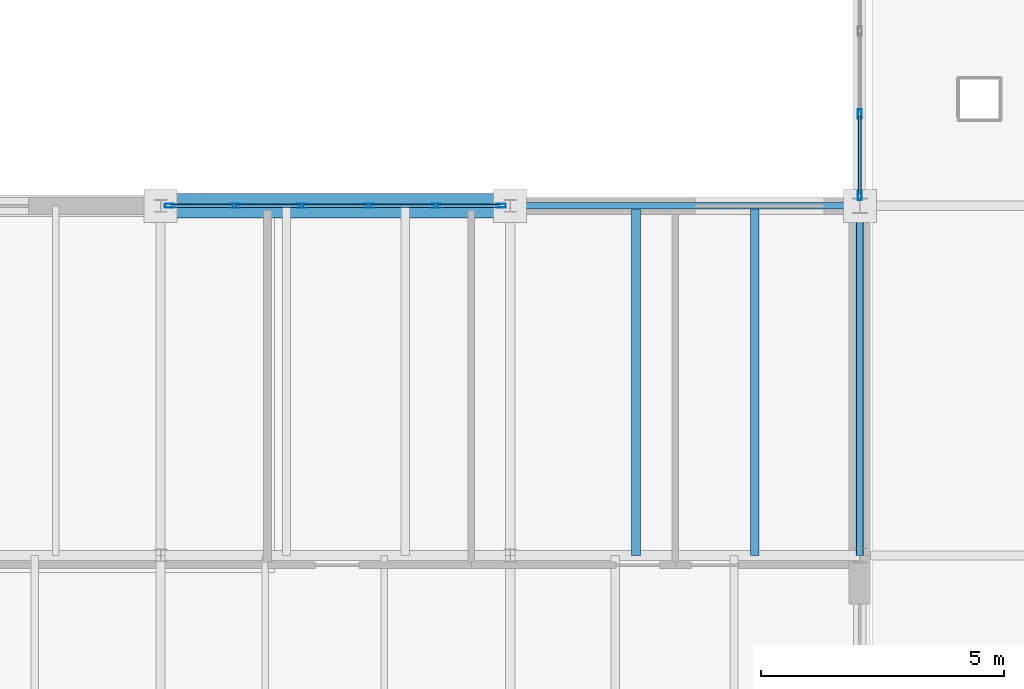
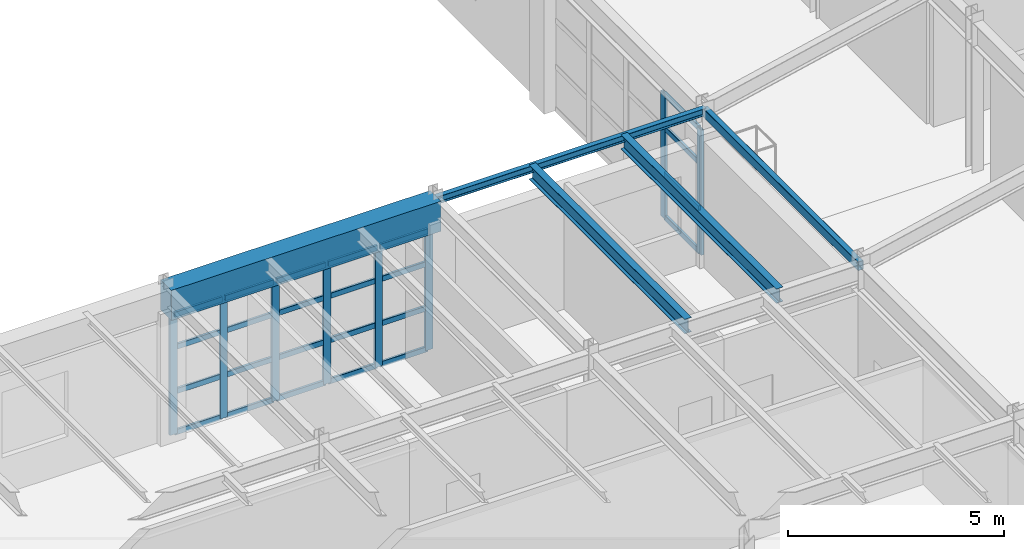
# One storey, part 74 of 137: 32 members, 5 beams, 2 elements without a shape of their own.
"""IFC4 building model written with IfcOpenShell, lengths in metres."""

from ifc_helpers import new_model, si_unit, direction, frame, origin, origin_2d, place, context, subcontext, project, spatial, rectangle, hollow_rectangle, i_section, extrude, material, layer, layer_set, material_profile, profile_set, type_object, element, aggregate, save


model = new_model("IFC4")

# Units and contexts
model_context = context("Model", 3, precision=1e-05, world=origin(), true_north=direction((0.0, 1.0)))
body_context = subcontext(model_context, "Body", "Model", "MODEL_VIEW")
ifc_project = project(units=[si_unit("LENGTHUNIT", "METRE"), si_unit("AREAUNIT", "SQUARE_METRE"), si_unit("VOLUMEUNIT", "CUBIC_METRE"), si_unit("PLANEANGLEUNIT", "RADIAN"), si_unit("MASSUNIT", "GRAM", prefix="KILO")], contexts=[model_context])

# Site, building, storey
site_placement = place(None, origin())
site = spatial("IfcSite", under=ifc_project, at=site_placement, CompositionType="ELEMENT")
building_placement = place(site_placement, origin())
building = spatial("IfcBuilding", under=site, at=building_placement, Name="Kemerveld Promenade Tramway Depot", CompositionType="ELEMENT")
storey_placement = place(building_placement, frame((0.0, 0.0, 5.39990234375)))
storey = spatial("IfcBuildingStorey", under=building, at=storey_placement, Name="L01", CompositionType="ELEMENT", Elevation=5.39990234375)

# Beams
ifc_material_1 = material(Name="Steel S355", Category="steel")
ifc_material_profile_1 = material_profile(ifc_material_1, i_section(OverallWidth=0.13330078125, OverallDepth=0.203125, WebThickness=0.005615234375, FlangeThickness=0.0078125, FilletRadius=0.007568359375, at=origin_2d()), Name="203x133x25 UB")
ifc_profile_set_1 = profile_set([ifc_material_profile_1], Name="Steel S355")
beam_type_1 = type_object("IfcBeamType", Name="BM-G14", PredefinedType="BEAM", material=ifc_profile_set_1)
beam_1_placement = place(storey_placement, frame((151.199951171875, 28.800048828125, 4.158447265625), z_axis=(1.0, 0.0, 0.0), x_axis=(0.0, 1.0, 0.0)))
element("IfcBeam", 1, at=beam_1_placement, inside=storey, type_object=beam_type_1, Name="BMX-L01-22-23-E", PredefinedType="BEAM", context=body_context, shape_type="SweptSolid", body=[
    extrude(i_section(OverallWidth=0.13330078125, OverallDepth=0.203125, WebThickness=0.005615234375, FlangeThickness=0.0078125, FilletRadius=0.007568359375, at=origin_2d()), origin(), (0.0, 0.0, 1.0), 7.199951171875),
])
ifc_material_profile_2 = material_profile(ifc_material_1, i_section(OverallWidth=0.1787109375, OverallDepth=0.409423828125, WebThickness=0.0087890625, FlangeThickness=0.014404296875, FilletRadius=0.01025390625, at=origin_2d()), Name="406x178x67 UB")
ifc_profile_set_2 = profile_set([ifc_material_profile_2], Name="Steel S355")
beam_type_2 = type_object("IfcBeamType", Name="BM-J05", PredefinedType="JOIST", material=ifc_profile_set_2)
for number, where, z_axis, x_axis, name in (
    (2, (153.7919921875, 21.60009765625, 4.055419921875), (0.0, 1.0, 0.0), (-1.0, 0.0, 0.0), "JST-L01-22-D-1"),
    (3, (156.239990234375, 21.60009765625, 4.055419921875), (0.0, 1.0, 0.0), (-1.0, 0.0, 0.0), "JST-L01-22-D-2"),
):
    element("IfcBeam", number, at=place(storey_placement, frame(where, z_axis=z_axis, x_axis=x_axis)), inside=storey, type_object=beam_type_2, Name=name, PredefinedType="JOIST", context=body_context, shape_type="SweptSolid", body=[
        extrude(i_section(OverallWidth=0.1787109375, OverallDepth=0.409423828125, WebThickness=0.0087890625, FlangeThickness=0.014404296875, FilletRadius=0.01025390625, at=origin_2d()), origin(), (0.0, 0.0, 1.0), 7.199951171875),
    ])
ifc_material_2 = material(Name="Concrete C40/50", Category="concrete")
ifc_material_profile_3 = material_profile(ifc_material_2, rectangle(XDim=0.5, YDim=0.85009765625, at=origin_2d()), Name="RC-BM-500x850")
ifc_profile_set_3 = profile_set([ifc_material_profile_3], Name="Concrete C40/50")
beam_type_3 = type_object("IfcBeamType", Name="BM-RC7", PredefinedType="BEAM", material=ifc_profile_set_3)
beam_2_placement = place(storey_placement, frame((144.0, 28.800048828125, 3.835205078125), z_axis=(1.0, 0.0, 0.0), x_axis=(0.0, 1.0, 0.0)))
element("IfcBeam", 4, at=beam_2_placement, inside=storey, type_object=beam_type_3, Name="BMX-L01-21-22-E", PredefinedType="BEAM", context=body_context, shape_type="SweptSolid", body=[
    extrude(rectangle(XDim=0.5, YDim=0.85009765625, at=origin_2d()), origin(), (0.0, 0.0, 1.0), 7.199951171875),
])
ifc_material_profile_4 = material_profile(ifc_material_1, hollow_rectangle(XDim=0.14990234375, YDim=0.25, WallThickness=0.010009765625, InnerFilletRadius=0.0048828125, OuterFilletRadius=0.014892578125, at=origin_2d()), Name="250x150x10.0 RHS")
ifc_profile_set_4 = profile_set([ifc_material_profile_4], Name="Steel S355")
beam_type_4 = type_object("IfcBeamType", Name="BM-SP2", PredefinedType="SPANDREL", material=ifc_profile_set_4)
beam_3_placement = place(storey_placement, frame((158.39990234375, 21.60009765625, 4.135009765625), z_axis=(0.0, 1.0, 0.0), x_axis=(-1.0, 0.0, 0.0)))
element("IfcBeam", 5, at=beam_3_placement, inside=storey, type_object=beam_type_4, Name="BMY-L01-23-D-E", PredefinedType="SPANDREL", context=body_context, shape_type="SweptSolid", body=[
    extrude(hollow_rectangle(XDim=0.14990234375, YDim=0.25, WallThickness=0.010009765625, InnerFilletRadius=0.0048828125, OuterFilletRadius=0.014892578125, at=origin_2d()), origin(), (0.0, 0.0, 1.0), 7.199951171875),
])

# Curtain wall, members
ifc_material_3 = material(Name="Bronze anodised aluminium and solar glass", Category="aluminium")
ifc_layer_1 = layer(ifc_material_3, 0.199951171875)
ifc_layer_set_1 = layer_set([ifc_layer_1], Name="CW-SYS-02")
curtain_wall_type_1 = type_object("IfcCurtainWallType", Name="CW-SYS-02", PredefinedType="USERDEFINED", material=ifc_layer_set_1)
curtain_wall_1_placement = place(storey_placement, origin())
curtain_wall_1 = element("IfcCurtainWall", 6, at=curtain_wall_1_placement, inside=storey, type_object=curtain_wall_type_1, Name="CW-L01-V4N-13", ObjectType="GLAZED_CURTAIN_WALL", PredefinedType="USERDEFINED")
ifc_material_4 = material(Name="Bronze anodised aluminium", Category="aluminium")
ifc_material_profile_5 = material_profile(ifc_material_4, hollow_rectangle(XDim=0.074951171875, YDim=0.199951171875, WallThickness=0.0048828125, InnerFilletRadius=0.001953125, OuterFilletRadius=0.0048828125, at=origin_2d()), Name="CW-MUL-200x75")
ifc_profile_set_5 = profile_set([ifc_material_profile_5], Name="Bronze anodised aluminium")
member_type_1 = type_object("IfcMemberType", Name="CW-MUL-B", PredefinedType="MULLION", material=ifc_profile_set_5)
member_1_placement = place(storey_placement, frame((144.1875, 28.800048828125, 0.0), z_axis=(0.0, 0.0, 1.0), x_axis=(0.0, 1.0, 0.0)))
member_1 = element("IfcMember", 7, at=member_1_placement, type_object=member_type_1, Name="CW02 mullion 1", PredefinedType="MULLION", context=body_context, shape_type="SweptSolid", body=[
    extrude(hollow_rectangle(XDim=0.074951171875, YDim=0.199951171875, WallThickness=0.0048828125, InnerFilletRadius=0.001953125, OuterFilletRadius=0.0048828125, at=origin_2d()), origin(), (0.0, 0.0, 1.0), 3.39013671875),
])
member_2_placement = place(storey_placement, frame((145.530029296875, 28.800048828125, 0.0), z_axis=(0.0, 0.0, 1.0), x_axis=(0.0, 1.0, 0.0)))
member_2 = element("IfcMember", 8, at=member_2_placement, type_object=member_type_1, Name="CW02 mullion 2", PredefinedType="MULLION", context=body_context, shape_type="SweptSolid", body=[
    extrude(hollow_rectangle(XDim=0.074951171875, YDim=0.199951171875, WallThickness=0.0048828125, InnerFilletRadius=0.001953125, OuterFilletRadius=0.0048828125, at=origin_2d()), origin(), (0.0, 0.0, 1.0), 3.39013671875),
])
member_3_placement = place(storey_placement, frame((146.909912109375, 28.800048828125, 0.0), z_axis=(0.0, 0.0, 1.0), x_axis=(0.0, 1.0, 0.0)))
member_3 = element("IfcMember", 9, at=member_3_placement, type_object=member_type_1, Name="CW02 mullion 3", PredefinedType="MULLION", context=body_context, shape_type="SweptSolid", body=[
    extrude(hollow_rectangle(XDim=0.074951171875, YDim=0.199951171875, WallThickness=0.0048828125, InnerFilletRadius=0.001953125, OuterFilletRadius=0.0048828125, at=origin_2d()), origin(), (0.0, 0.0, 1.0), 3.39013671875),
])
member_4_placement = place(storey_placement, frame((148.2900390625, 28.800048828125, 0.0), z_axis=(0.0, 0.0, 1.0), x_axis=(0.0, 1.0, 0.0)))
member_4 = element("IfcMember", 10, at=member_4_placement, type_object=member_type_1, Name="CW02 mullion 4", PredefinedType="MULLION", context=body_context, shape_type="SweptSolid", body=[
    extrude(hollow_rectangle(XDim=0.074951171875, YDim=0.199951171875, WallThickness=0.0048828125, InnerFilletRadius=0.001953125, OuterFilletRadius=0.0048828125, at=origin_2d()), origin(), (0.0, 0.0, 1.0), 3.39013671875),
])
member_5_placement = place(storey_placement, frame((149.669921875, 28.800048828125, 0.0), z_axis=(0.0, 0.0, 1.0), x_axis=(0.0, 1.0, 0.0)))
member_5 = element("IfcMember", 11, at=member_5_placement, type_object=member_type_1, Name="CW02 mullion 5", PredefinedType="MULLION", context=body_context, shape_type="SweptSolid", body=[
    extrude(hollow_rectangle(XDim=0.074951171875, YDim=0.199951171875, WallThickness=0.0048828125, InnerFilletRadius=0.001953125, OuterFilletRadius=0.0048828125, at=origin_2d()), origin(), (0.0, 0.0, 1.0), 3.39013671875),
])
member_6_placement = place(storey_placement, frame((151.01220703125, 28.800048828125, 0.0), z_axis=(0.0, 0.0, 1.0), x_axis=(0.0, 1.0, 0.0)))
member_6 = element("IfcMember", 12, at=member_6_placement, type_object=member_type_1, Name="CW02 mullion 6", PredefinedType="MULLION", context=body_context, shape_type="SweptSolid", body=[
    extrude(hollow_rectangle(XDim=0.074951171875, YDim=0.199951171875, WallThickness=0.0048828125, InnerFilletRadius=0.001953125, OuterFilletRadius=0.0048828125, at=origin_2d()), origin(), (0.0, 0.0, 1.0), 3.39013671875),
])

ifc_layer_2 = layer(ifc_material_3, 0.199951171875)
ifc_layer_set_2 = layer_set([ifc_layer_2], Name="CW-SYS-04")
curtain_wall_type_2 = type_object("IfcCurtainWallType", Name="CW-SYS-04", PredefinedType="USERDEFINED", material=ifc_layer_set_2)
curtain_wall_2_placement = place(storey_placement, origin())
curtain_wall_2 = element("IfcCurtainWall", 13, at=curtain_wall_2_placement, inside=storey, type_object=curtain_wall_type_2, Name="CW-L01-V2W-01", ObjectType="GLAZED_CURTAIN_WALL", PredefinedType="USERDEFINED")
member_7_placement = place(storey_placement, frame((158.39990234375, 29.014892578125, 0.0), z_axis=(0.0, 0.0, 1.0), x_axis=(-1.0, 0.0, 0.0)))
member_7 = element("IfcMember", 14, at=member_7_placement, type_object=member_type_1, Name="CW04 mullion 1", PredefinedType="MULLION", context=body_context, shape_type="SweptSolid", body=[
    extrude(hollow_rectangle(XDim=0.074951171875, YDim=0.199951171875, WallThickness=0.0048828125, InnerFilletRadius=0.001953125, OuterFilletRadius=0.0048828125, at=origin_2d()), origin(), (0.0, 0.0, 1.0), 3.53271484375),
])
member_8_placement = place(storey_placement, frame((158.39990234375, 30.688720703125, 0.0), z_axis=(0.0, 0.0, 1.0), x_axis=(-1.0, 0.0, 0.0)))
member_8 = element("IfcMember", 15, at=member_8_placement, type_object=member_type_1, Name="CW04 mullion 2", PredefinedType="MULLION", context=body_context, shape_type="SweptSolid", body=[
    extrude(hollow_rectangle(XDim=0.074951171875, YDim=0.199951171875, WallThickness=0.0048828125, InnerFilletRadius=0.001953125, OuterFilletRadius=0.0048828125, at=origin_2d()), origin(), (0.0, 0.0, 1.0), 3.53271484375),
])

# Member
ifc_material_profile_6 = material_profile(ifc_material_4, hollow_rectangle(XDim=0.06494140625, YDim=0.14990234375, WallThickness=0.00439453125, InnerFilletRadius=0.001953125, OuterFilletRadius=0.00439453125, at=origin_2d()), Name="CW-TRN-150x65")
ifc_profile_set_6 = profile_set([ifc_material_profile_6], Name="Bronze anodised aluminium")
member_type_2 = type_object("IfcMemberType", Name="CW-TRN-B", PredefinedType="USERDEFINED", material=ifc_profile_set_6)
member_9_placement = place(storey_placement, frame((144.22509765625, 28.800048828125, 0.03271484375), z_axis=(1.0, 0.0, 0.0), x_axis=(0.0, 1.0, 0.0)))
member_9 = element("IfcMember", 16, at=member_9_placement, type_object=member_type_2, Name="CW02 transom 1.1", ObjectType="TRANSOM", PredefinedType="USERDEFINED", context=body_context, shape_type="SweptSolid", body=[
    extrude(hollow_rectangle(XDim=0.06494140625, YDim=0.14990234375, WallThickness=0.00439453125, InnerFilletRadius=0.001953125, OuterFilletRadius=0.00439453125, at=origin_2d()), origin(), (0.0, 0.0, 1.0), 1.267333984375),
])

member_10_placement = place(storey_placement, frame((144.22509765625, 28.800048828125, 1.18701171875), z_axis=(1.0, 0.0, 0.0), x_axis=(0.0, 1.0, 0.0)))
member_10 = element("IfcMember", 17, at=member_10_placement, type_object=member_type_2, Name="CW02 transom 1.2", ObjectType="TRANSOM", PredefinedType="USERDEFINED", context=body_context, shape_type="SweptSolid", body=[
    extrude(hollow_rectangle(XDim=0.06494140625, YDim=0.14990234375, WallThickness=0.00439453125, InnerFilletRadius=0.001953125, OuterFilletRadius=0.00439453125, at=origin_2d()), origin(), (0.0, 0.0, 1.0), 1.267333984375),
])

member_11_placement = place(storey_placement, frame((144.22509765625, 28.800048828125, 2.441162109375), z_axis=(1.0, 0.0, 0.0), x_axis=(0.0, 1.0, 0.0)))
member_11 = element("IfcMember", 18, at=member_11_placement, type_object=member_type_2, Name="CW02 transom 1.3", ObjectType="TRANSOM", PredefinedType="USERDEFINED", context=body_context, shape_type="SweptSolid", body=[
    extrude(hollow_rectangle(XDim=0.06494140625, YDim=0.14990234375, WallThickness=0.00439453125, InnerFilletRadius=0.001953125, OuterFilletRadius=0.00439453125, at=origin_2d()), origin(), (0.0, 0.0, 1.0), 1.267333984375),
])

member_12_placement = place(storey_placement, frame((144.22509765625, 28.800048828125, 3.357666015625), z_axis=(1.0, 0.0, 0.0), x_axis=(0.0, 1.0, 0.0)))
member_12 = element("IfcMember", 19, at=member_12_placement, type_object=member_type_2, Name="CW02 transom 1.4", ObjectType="TRANSOM", PredefinedType="USERDEFINED", context=body_context, shape_type="SweptSolid", body=[
    extrude(hollow_rectangle(XDim=0.06494140625, YDim=0.14990234375, WallThickness=0.00439453125, InnerFilletRadius=0.001953125, OuterFilletRadius=0.00439453125, at=origin_2d()), origin(), (0.0, 0.0, 1.0), 1.267333984375),
])

member_13_placement = place(storey_placement, frame((145.567626953125, 28.800048828125, 0.03271484375), z_axis=(1.0, 0.0, 0.0), x_axis=(0.0, 1.0, 0.0)))
member_13 = element("IfcMember", 20, at=member_13_placement, type_object=member_type_2, Name="CW02 transom 2.1", ObjectType="TRANSOM", PredefinedType="USERDEFINED", context=body_context, shape_type="SweptSolid", body=[
    extrude(hollow_rectangle(XDim=0.06494140625, YDim=0.14990234375, WallThickness=0.00439453125, InnerFilletRadius=0.001953125, OuterFilletRadius=0.00439453125, at=origin_2d()), origin(), (0.0, 0.0, 1.0), 1.304931640625),
])

member_14_placement = place(storey_placement, frame((145.567626953125, 28.800048828125, 1.18701171875), z_axis=(1.0, 0.0, 0.0), x_axis=(0.0, 1.0, 0.0)))
member_14 = element("IfcMember", 21, at=member_14_placement, type_object=member_type_2, Name="CW02 transom 2.2", ObjectType="TRANSOM", PredefinedType="USERDEFINED", context=body_context, shape_type="SweptSolid", body=[
    extrude(hollow_rectangle(XDim=0.06494140625, YDim=0.14990234375, WallThickness=0.00439453125, InnerFilletRadius=0.001953125, OuterFilletRadius=0.00439453125, at=origin_2d()), origin(), (0.0, 0.0, 1.0), 1.304931640625),
])

member_15_placement = place(storey_placement, frame((145.567626953125, 28.800048828125, 2.441162109375), z_axis=(1.0, 0.0, 0.0), x_axis=(0.0, 1.0, 0.0)))
member_15 = element("IfcMember", 22, at=member_15_placement, type_object=member_type_2, Name="CW02 transom 2.3", ObjectType="TRANSOM", PredefinedType="USERDEFINED", context=body_context, shape_type="SweptSolid", body=[
    extrude(hollow_rectangle(XDim=0.06494140625, YDim=0.14990234375, WallThickness=0.00439453125, InnerFilletRadius=0.001953125, OuterFilletRadius=0.00439453125, at=origin_2d()), origin(), (0.0, 0.0, 1.0), 1.304931640625),
])

member_16_placement = place(storey_placement, frame((145.567626953125, 28.800048828125, 3.357666015625), z_axis=(1.0, 0.0, 0.0), x_axis=(0.0, 1.0, 0.0)))
member_16 = element("IfcMember", 23, at=member_16_placement, type_object=member_type_2, Name="CW02 transom 2.4", ObjectType="TRANSOM", PredefinedType="USERDEFINED", context=body_context, shape_type="SweptSolid", body=[
    extrude(hollow_rectangle(XDim=0.06494140625, YDim=0.14990234375, WallThickness=0.00439453125, InnerFilletRadius=0.001953125, OuterFilletRadius=0.00439453125, at=origin_2d()), origin(), (0.0, 0.0, 1.0), 1.304931640625),
])

member_17_placement = place(storey_placement, frame((146.947509765625, 28.800048828125, 0.03271484375), z_axis=(1.0, 0.0, 0.0), x_axis=(0.0, 1.0, 0.0)))
member_17 = element("IfcMember", 24, at=member_17_placement, type_object=member_type_2, Name="CW02 transom 3.1", ObjectType="TRANSOM", PredefinedType="USERDEFINED", context=body_context, shape_type="SweptSolid", body=[
    extrude(hollow_rectangle(XDim=0.06494140625, YDim=0.14990234375, WallThickness=0.00439453125, InnerFilletRadius=0.001953125, OuterFilletRadius=0.00439453125, at=origin_2d()), origin(), (0.0, 0.0, 1.0), 1.304931640625),
])

member_18_placement = place(storey_placement, frame((146.947509765625, 28.800048828125, 1.18701171875), z_axis=(1.0, 0.0, 0.0), x_axis=(0.0, 1.0, 0.0)))
member_18 = element("IfcMember", 25, at=member_18_placement, type_object=member_type_2, Name="CW02 transom 3.2", ObjectType="TRANSOM", PredefinedType="USERDEFINED", context=body_context, shape_type="SweptSolid", body=[
    extrude(hollow_rectangle(XDim=0.06494140625, YDim=0.14990234375, WallThickness=0.00439453125, InnerFilletRadius=0.001953125, OuterFilletRadius=0.00439453125, at=origin_2d()), origin(), (0.0, 0.0, 1.0), 1.304931640625),
])

member_19_placement = place(storey_placement, frame((146.947509765625, 28.800048828125, 2.441162109375), z_axis=(1.0, 0.0, 0.0), x_axis=(0.0, 1.0, 0.0)))
member_19 = element("IfcMember", 26, at=member_19_placement, type_object=member_type_2, Name="CW02 transom 3.3", ObjectType="TRANSOM", PredefinedType="USERDEFINED", context=body_context, shape_type="SweptSolid", body=[
    extrude(hollow_rectangle(XDim=0.06494140625, YDim=0.14990234375, WallThickness=0.00439453125, InnerFilletRadius=0.001953125, OuterFilletRadius=0.00439453125, at=origin_2d()), origin(), (0.0, 0.0, 1.0), 1.304931640625),
])

member_20_placement = place(storey_placement, frame((146.947509765625, 28.800048828125, 3.357666015625), z_axis=(1.0, 0.0, 0.0), x_axis=(0.0, 1.0, 0.0)))
member_20 = element("IfcMember", 27, at=member_20_placement, type_object=member_type_2, Name="CW02 transom 3.4", ObjectType="TRANSOM", PredefinedType="USERDEFINED", context=body_context, shape_type="SweptSolid", body=[
    extrude(hollow_rectangle(XDim=0.06494140625, YDim=0.14990234375, WallThickness=0.00439453125, InnerFilletRadius=0.001953125, OuterFilletRadius=0.00439453125, at=origin_2d()), origin(), (0.0, 0.0, 1.0), 1.304931640625),
])

member_21_placement = place(storey_placement, frame((148.327392578125, 28.800048828125, 0.03271484375), z_axis=(1.0, 0.0, 0.0), x_axis=(0.0, 1.0, 0.0)))
member_21 = element("IfcMember", 28, at=member_21_placement, type_object=member_type_2, Name="CW02 transom 4.1", ObjectType="TRANSOM", PredefinedType="USERDEFINED", context=body_context, shape_type="SweptSolid", body=[
    extrude(hollow_rectangle(XDim=0.06494140625, YDim=0.14990234375, WallThickness=0.00439453125, InnerFilletRadius=0.001953125, OuterFilletRadius=0.00439453125, at=origin_2d()), origin(), (0.0, 0.0, 1.0), 1.304931640625),
])

member_22_placement = place(storey_placement, frame((148.327392578125, 28.800048828125, 1.18701171875), z_axis=(1.0, 0.0, 0.0), x_axis=(0.0, 1.0, 0.0)))
member_22 = element("IfcMember", 29, at=member_22_placement, type_object=member_type_2, Name="CW02 transom 4.2", ObjectType="TRANSOM", PredefinedType="USERDEFINED", context=body_context, shape_type="SweptSolid", body=[
    extrude(hollow_rectangle(XDim=0.06494140625, YDim=0.14990234375, WallThickness=0.00439453125, InnerFilletRadius=0.001953125, OuterFilletRadius=0.00439453125, at=origin_2d()), origin(), (0.0, 0.0, 1.0), 1.304931640625),
])

member_23_placement = place(storey_placement, frame((148.327392578125, 28.800048828125, 2.441162109375), z_axis=(1.0, 0.0, 0.0), x_axis=(0.0, 1.0, 0.0)))
member_23 = element("IfcMember", 30, at=member_23_placement, type_object=member_type_2, Name="CW02 transom 4.3", ObjectType="TRANSOM", PredefinedType="USERDEFINED", context=body_context, shape_type="SweptSolid", body=[
    extrude(hollow_rectangle(XDim=0.06494140625, YDim=0.14990234375, WallThickness=0.00439453125, InnerFilletRadius=0.001953125, OuterFilletRadius=0.00439453125, at=origin_2d()), origin(), (0.0, 0.0, 1.0), 1.304931640625),
])

member_24_placement = place(storey_placement, frame((148.327392578125, 28.800048828125, 3.357666015625), z_axis=(1.0, 0.0, 0.0), x_axis=(0.0, 1.0, 0.0)))
member_24 = element("IfcMember", 31, at=member_24_placement, type_object=member_type_2, Name="CW02 transom 4.4", ObjectType="TRANSOM", PredefinedType="USERDEFINED", context=body_context, shape_type="SweptSolid", body=[
    extrude(hollow_rectangle(XDim=0.06494140625, YDim=0.14990234375, WallThickness=0.00439453125, InnerFilletRadius=0.001953125, OuterFilletRadius=0.00439453125, at=origin_2d()), origin(), (0.0, 0.0, 1.0), 1.304931640625),
])

member_25_placement = place(storey_placement, frame((149.707275390625, 28.800048828125, 0.03271484375), z_axis=(1.0, 0.0, 0.0), x_axis=(0.0, 1.0, 0.0)))
member_25 = element("IfcMember", 32, at=member_25_placement, type_object=member_type_2, Name="CW02 transom 5.1", ObjectType="TRANSOM", PredefinedType="USERDEFINED", context=body_context, shape_type="SweptSolid", body=[
    extrude(hollow_rectangle(XDim=0.06494140625, YDim=0.14990234375, WallThickness=0.00439453125, InnerFilletRadius=0.001953125, OuterFilletRadius=0.00439453125, at=origin_2d()), origin(), (0.0, 0.0, 1.0), 1.267578125),
])

member_26_placement = place(storey_placement, frame((149.707275390625, 28.800048828125, 1.18701171875), z_axis=(1.0, 0.0, 0.0), x_axis=(0.0, 1.0, 0.0)))
member_26 = element("IfcMember", 33, at=member_26_placement, type_object=member_type_2, Name="CW02 transom 5.2", ObjectType="TRANSOM", PredefinedType="USERDEFINED", context=body_context, shape_type="SweptSolid", body=[
    extrude(hollow_rectangle(XDim=0.06494140625, YDim=0.14990234375, WallThickness=0.00439453125, InnerFilletRadius=0.001953125, OuterFilletRadius=0.00439453125, at=origin_2d()), origin(), (0.0, 0.0, 1.0), 1.267578125),
])

member_27_placement = place(storey_placement, frame((149.707275390625, 28.800048828125, 2.441162109375), z_axis=(1.0, 0.0, 0.0), x_axis=(0.0, 1.0, 0.0)))
member_27 = element("IfcMember", 34, at=member_27_placement, type_object=member_type_2, Name="CW02 transom 5.3", ObjectType="TRANSOM", PredefinedType="USERDEFINED", context=body_context, shape_type="SweptSolid", body=[
    extrude(hollow_rectangle(XDim=0.06494140625, YDim=0.14990234375, WallThickness=0.00439453125, InnerFilletRadius=0.001953125, OuterFilletRadius=0.00439453125, at=origin_2d()), origin(), (0.0, 0.0, 1.0), 1.267578125),
])

member_28_placement = place(storey_placement, frame((149.707275390625, 28.800048828125, 3.357666015625), z_axis=(1.0, 0.0, 0.0), x_axis=(0.0, 1.0, 0.0)))
member_28 = element("IfcMember", 35, at=member_28_placement, type_object=member_type_2, Name="CW02 transom 5.4", ObjectType="TRANSOM", PredefinedType="USERDEFINED", context=body_context, shape_type="SweptSolid", body=[
    extrude(hollow_rectangle(XDim=0.06494140625, YDim=0.14990234375, WallThickness=0.00439453125, InnerFilletRadius=0.001953125, OuterFilletRadius=0.00439453125, at=origin_2d()), origin(), (0.0, 0.0, 1.0), 1.267578125),
])

aggregate(curtain_wall_1, [member_1, member_2, member_3, member_4, member_5, member_6, member_9, member_10, member_11, member_12, member_13, member_14, member_15, member_16, member_17, member_18, member_19, member_20, member_21, member_22, member_23, member_24, member_25, member_26, member_27, member_28])

member_29_placement = place(storey_placement, frame((158.39990234375, 29.05224609375, 0.03271484375), z_axis=(0.0, 1.0, 0.0), x_axis=(-1.0, 0.0, 0.0)))
member_29 = element("IfcMember", 36, at=member_29_placement, type_object=member_type_2, Name="CW04 transom 1.1", ObjectType="TRANSOM", PredefinedType="USERDEFINED", context=body_context, shape_type="SweptSolid", body=[
    extrude(hollow_rectangle(XDim=0.06494140625, YDim=0.14990234375, WallThickness=0.00439453125, InnerFilletRadius=0.001953125, OuterFilletRadius=0.00439453125, at=origin_2d()), origin(), (0.0, 0.0, 1.0), 1.598876953125),
])

member_30_placement = place(storey_placement, frame((158.39990234375, 29.05224609375, 1.236083984375), z_axis=(0.0, 1.0, 0.0), x_axis=(-1.0, 0.0, 0.0)))
member_30 = element("IfcMember", 37, at=member_30_placement, type_object=member_type_2, Name="CW04 transom 1.2", ObjectType="TRANSOM", PredefinedType="USERDEFINED", context=body_context, shape_type="SweptSolid", body=[
    extrude(hollow_rectangle(XDim=0.06494140625, YDim=0.14990234375, WallThickness=0.00439453125, InnerFilletRadius=0.001953125, OuterFilletRadius=0.00439453125, at=origin_2d()), origin(), (0.0, 0.0, 1.0), 1.598876953125),
])

member_31_placement = place(storey_placement, frame((158.39990234375, 29.05224609375, 2.543212890625), z_axis=(0.0, 1.0, 0.0), x_axis=(-1.0, 0.0, 0.0)))
member_31 = element("IfcMember", 38, at=member_31_placement, type_object=member_type_2, Name="CW04 transom 1.3", ObjectType="TRANSOM", PredefinedType="USERDEFINED", context=body_context, shape_type="SweptSolid", body=[
    extrude(hollow_rectangle(XDim=0.06494140625, YDim=0.14990234375, WallThickness=0.00439453125, InnerFilletRadius=0.001953125, OuterFilletRadius=0.00439453125, at=origin_2d()), origin(), (0.0, 0.0, 1.0), 1.598876953125),
])

member_32_placement = place(storey_placement, frame((158.39990234375, 29.05224609375, 3.500244140625), z_axis=(0.0, 1.0, 0.0), x_axis=(-1.0, 0.0, 0.0)))
member_32 = element("IfcMember", 39, at=member_32_placement, type_object=member_type_2, Name="CW04 transom 1.4", ObjectType="TRANSOM", PredefinedType="USERDEFINED", context=body_context, shape_type="SweptSolid", body=[
    extrude(hollow_rectangle(XDim=0.06494140625, YDim=0.14990234375, WallThickness=0.00439453125, InnerFilletRadius=0.001953125, OuterFilletRadius=0.00439453125, at=origin_2d()), origin(), (0.0, 0.0, 1.0), 1.598876953125),
])

aggregate(curtain_wall_2, [member_7, member_8, member_29, member_30, member_31, member_32])

save(model, "model.ifc")
